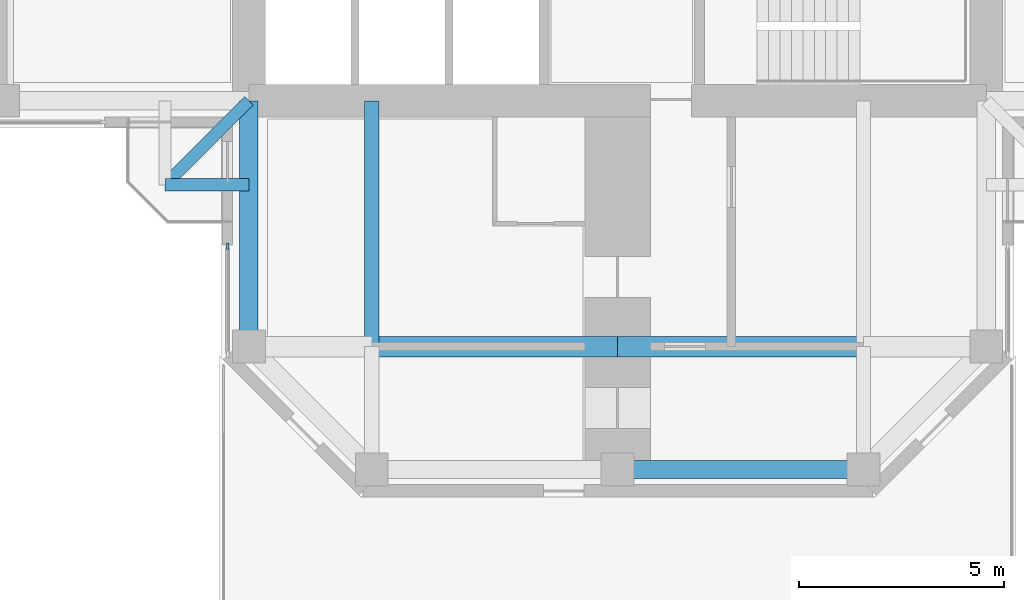
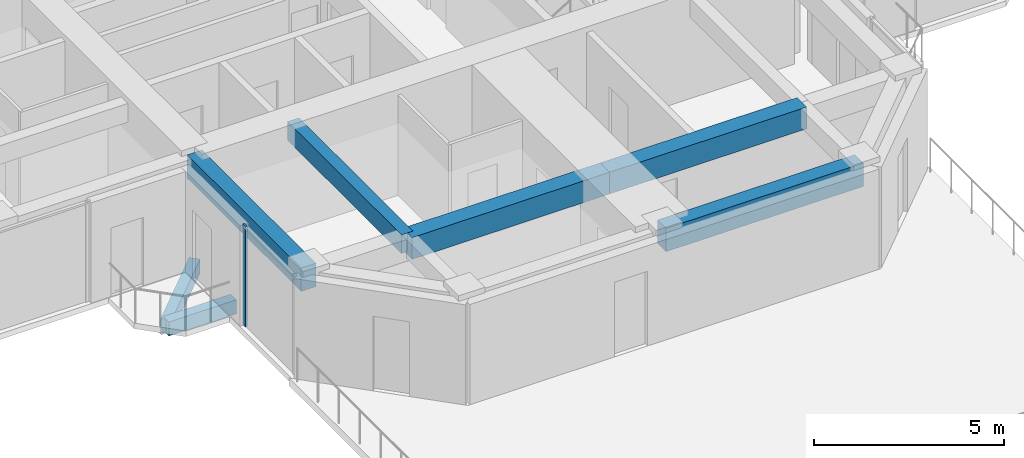
# One storey, part 3 of 14: 7 beams, 1 member, 1 element without a shape of its own.
"""IFC4 building model written with IfcOpenShell, lengths in metres."""

from ifc_helpers import new_model, si_unit, direction, frame, origin, origin_2d, place, context, subcontext, project, spatial, rectangle, extrude, material, material_profile, profile_set, type_object, element, aggregate, save


model = new_model("IFC4")

# Units and contexts
model_context = context("Model", 3, precision=1e-05, world=origin(), true_north=direction((0.0, 1.0)))
body_context = subcontext(model_context, "Body", "Model", "MODEL_VIEW")
ifc_project = project(units=[si_unit("LENGTHUNIT", "METRE"), si_unit("AREAUNIT", "SQUARE_METRE"), si_unit("VOLUMEUNIT", "CUBIC_METRE"), si_unit("PLANEANGLEUNIT", "RADIAN"), si_unit("MASSUNIT", "GRAM", prefix="KILO")], contexts=[model_context])

# Site, building, storey
site_placement = place(None, origin())
site = spatial("IfcSite", under=ifc_project, at=site_placement, CompositionType="ELEMENT")
building_placement = place(site_placement, origin())
building = spatial("IfcBuilding", under=site, at=building_placement, Name="Torre Cruceta", CompositionType="ELEMENT")
storey_placement = place(building_placement, frame((0.0, 0.0, 222.10009765625)))
storey = spatial("IfcBuildingStorey", under=building, at=storey_placement, Name="L56", CompositionType="ELEMENT", Elevation=222.10009765625)

# Beams
ifc_material_1 = material(Name="Concrete G60 (fck 60 MPa)", Category="concrete")
ifc_material_profile_1 = material_profile(ifc_material_1, rectangle(XDim=0.300048828125, YDim=0.449951171875, at=origin_2d()), Name="RC 300X450")
ifc_profile_set_1 = profile_set([ifc_material_profile_1], Name="Concrete G60 (fck 60 MPa)")
beam_type_1 = type_object("IfcBeamType", Name="BALCONY CANTILEVER BEAM RC 300X450", PredefinedType="BEAM", material=ifc_profile_set_1)
beam_1_placement = place(storey_placement, frame((-9.0, -9.0, -0.405029296875), z_axis=(-0.707106781187, -0.707106781187, 0.0), x_axis=(0.707106781187, -0.707106781187, 0.0)))
element("IfcBeam", 1, at=beam_1_placement, inside=storey, type_object=beam_type_1, Name="BB1 balcony beam L56 W", PredefinedType="BEAM", context=body_context, shape_type="SweptSolid", body=[
    extrude(rectangle(XDim=0.300048828125, YDim=0.449951171875, at=origin_2d()), origin(), (0.0, 0.0, 1.0), 2.89990234375),
])
beam_2_placement = place(storey_placement, frame((-9.0, -11.050537109375, -0.405029296875), z_axis=(-1.0, 0.0, 0.0), x_axis=(0.0, -1.0, 0.0)))
element("IfcBeam", 2, at=beam_2_placement, inside=storey, type_object=beam_type_1, Name="BB1 balcony edge beam L56 W-Y", PredefinedType="BEAM", context=body_context, shape_type="SweptSolid", body=[
    extrude(rectangle(XDim=0.300048828125, YDim=0.449951171875, at=origin_2d()), origin(), (0.0, 0.0, 1.0), 2.050537109375),
])
ifc_material_2 = material(Name="Concrete G60 (fck 60 MPa)", Category="concrete")
ifc_material_profile_2 = material_profile(ifc_material_2, rectangle(XDim=0.35009765625, YDim=0.60009765625, at=origin_2d()), Name="RC 350X600")
ifc_profile_set_2 = profile_set([ifc_material_profile_2], Name="Concrete G60 (fck 60 MPa)")
beam_type_2 = type_object("IfcBeamType", Name="COLUMN LINE BEAM RC 350X600", PredefinedType="BEAM", material=ifc_profile_set_2)
beam_3_placement = place(storey_placement, frame((-6.0, -9.0, 2.919921875), z_axis=(0.0, -1.0, 0.0), x_axis=(1.0, 0.0, 0.0)))
element("IfcBeam", 3, at=beam_3_placement, inside=storey, type_object=beam_type_2, Name="LB9 L56 S col- 1", PredefinedType="BEAM", context=body_context, shape_type="SweptSolid", body=[
    extrude(rectangle(XDim=0.35009765625, YDim=0.60009765625, at=origin_2d()), origin(), (0.0, 0.0, 1.0), 6.0),
])
ifc_material_3 = material(Name="Concrete G60 (fck 60 MPa)", Category="concrete")
ifc_material_profile_3 = material_profile(ifc_material_3, rectangle(XDim=0.5, YDim=0.699951171875, at=origin_2d()), Name="RC 500X700")
ifc_profile_set_3 = profile_set([ifc_material_profile_3], Name="Concrete G60 (fck 60 MPa)")
beam_type_3 = type_object("IfcBeamType", Name="CROSS BEAM RC 500X700", PredefinedType="BEAM", material=ifc_profile_set_3)
for number, where, z_axis, x_axis, name in (
    (4, (-6.0, -15.0, 2.869873046875), (1.0, 0.0, 0.0), (0.0, 1.0, 0.0), "GB7 L56 S cross15 2"),
    (5, (0.0, -15.0, 2.869873046875), (1.0, 0.0, 0.0), (0.0, 1.0, 0.0), "GB7 L56 S cross15 3"),
):
    element("IfcBeam", number, at=place(storey_placement, frame(where, z_axis=z_axis, x_axis=x_axis)), inside=storey, type_object=beam_type_3, Name=name, PredefinedType="BEAM", context=body_context, shape_type="SweptSolid", body=[
        extrude(rectangle(XDim=0.5, YDim=0.699951171875, at=origin_2d()), origin(), (0.0, 0.0, 1.0), 6.0),
    ])

# Curtain wall, member
ifc_material_4 = material(Name="Aluminium unitised curtain wall", Category="aluminium")
curtain_wall_type = type_object("IfcCurtainWallType", Name="CURTAIN WALL CW-D CO-LIVING UPPER", PredefinedType="USERDEFINED", material=ifc_material_4)
curtain_wall_placement = place(storey_placement, origin())
curtain_wall = element("IfcCurtainWall", 6, at=curtain_wall_placement, inside=storey, type_object=curtain_wall_type, Name="CW-D L56 S side 15", ObjectType="UNITISED", PredefinedType="USERDEFINED")
ifc_material_5 = material(Name="Aluminium mullion", Category="aluminium")
ifc_material_profile_4 = material_profile(ifc_material_5, rectangle(XDim=0.06005859375, YDim=0.14990234375, at=origin_2d()), Name="AL 60X150")
ifc_profile_set_4 = profile_set([ifc_material_profile_4], Name="Aluminium mullion")
member_type = type_object("IfcMemberType", Name="CW-D MULLION 60X150", PredefinedType="MULLION", material=ifc_profile_set_4)
member_placement = place(storey_placement, frame((-9.52001953125, -12.550048828125, 0.0), z_axis=(0.0, 0.0, 1.0), x_axis=(1.0, 0.0, 0.0)))
member = element("IfcMember", 7, at=member_placement, type_object=member_type, Name="CW-D mullion 1", PredefinedType="MULLION", context=body_context, shape_type="SweptSolid", body=[
    extrude(rectangle(XDim=0.06005859375, YDim=0.14990234375, at=origin_2d()), origin(), (0.0, 0.0, 1.0), 3.219970703125),
])
aggregate(curtain_wall, [member])

# Beams
ifc_material_6 = material(Name="Concrete G60 (fck 60 MPa)", Category="concrete")
ifc_material_profile_5 = material_profile(ifc_material_6, rectangle(XDim=0.449951171875, YDim=0.75, at=origin_2d()), Name="RC 450X750")
ifc_profile_set_5 = profile_set([ifc_material_profile_5], Name="Concrete G60 (fck 60 MPa)")
beam_type_4 = type_object("IfcBeamType", Name="SPANDREL BEAM RC 450X750", PredefinedType="SPANDREL", material=ifc_profile_set_5)
for number, where, z_axis, x_axis, name in (
    (8, (-9.0, -9.0, 2.844970703125), (0.0, -1.0, 0.0), (1.0, 0.0, 0.0), "SB7 L56 S side- 1"),
    (9, (0.0, -18.0, 2.844970703125), (1.0, 0.0, 0.0), (0.0, 1.0, 0.0), "SB7 L56 S tip 2"),
):
    element("IfcBeam", number, at=place(storey_placement, frame(where, z_axis=z_axis, x_axis=x_axis)), inside=storey, type_object=beam_type_4, Name=name, PredefinedType="SPANDREL", context=body_context, shape_type="SweptSolid", body=[
        extrude(rectangle(XDim=0.449951171875, YDim=0.75, at=origin_2d()), origin(), (0.0, 0.0, 1.0), 6.0),
    ])

save(model, "model.ifc")
